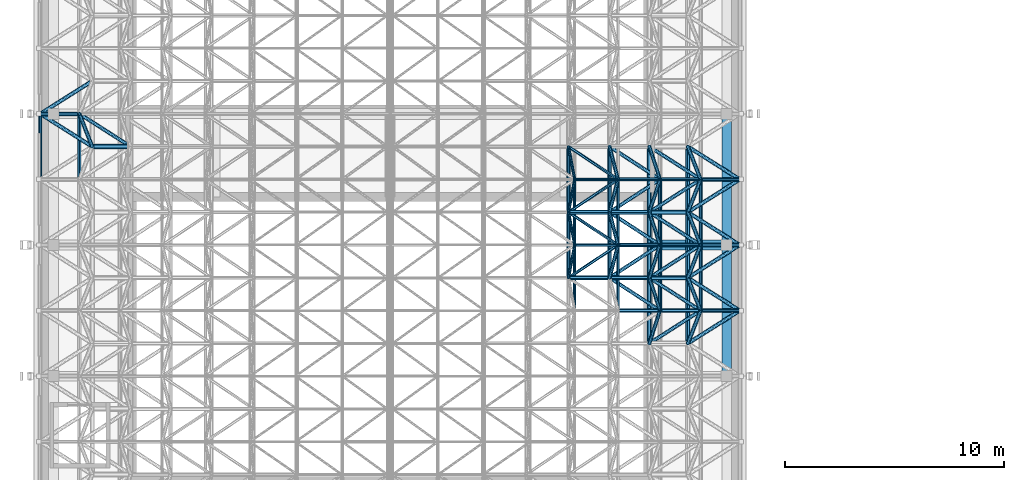
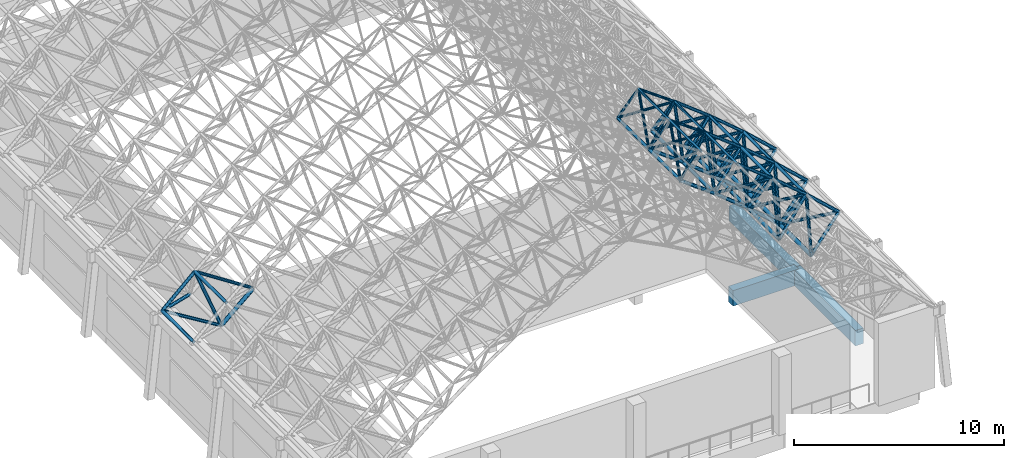
# One storey, part 15 of 141: 84 members, 3 beams.
"""IFC4 building model written with IfcOpenShell, lengths in metres."""

from ifc_helpers import new_model, si_unit, direction, frame, origin, origin_2d, place, context, subcontext, project, spatial, rectangle, hollow_circle, extrude, material, material_profile, profile_set, type_object, element, save


model = new_model("IFC4")

# Units and contexts
model_context = context("Model", 3, precision=1e-05, world=origin(), true_north=direction((0.0, 1.0)))
body_context = subcontext(model_context, "Body", "Model", "MODEL_VIEW")
ifc_project = project(units=[si_unit("LENGTHUNIT", "METRE"), si_unit("AREAUNIT", "SQUARE_METRE"), si_unit("VOLUMEUNIT", "CUBIC_METRE"), si_unit("PLANEANGLEUNIT", "RADIAN"), si_unit("MASSUNIT", "GRAM", prefix="KILO")], contexts=[model_context])

# Site, building, storey
site_placement = place(None, origin())
site = spatial("IfcSite", under=ifc_project, at=site_placement, CompositionType="ELEMENT")
building_placement = place(site_placement, origin())
building = spatial("IfcBuilding", under=site, at=building_placement, Name="Lantern Court Media Centre", CompositionType="ELEMENT")
storey_placement = place(building_placement, frame((0.0, 0.0, 9.60009765625)))
storey = spatial("IfcBuildingStorey", under=building, at=storey_placement, Name="L02", CompositionType="ELEMENT", Elevation=9.60009765625)

# Members
ifc_material_1 = material(Name="Steel S355J2 (EN 10025-2)", Category="steel")
ifc_material_profile_1 = material_profile(ifc_material_1, hollow_circle(Radius=0.084228515625, WallThickness=0.008056640625, at=origin_2d()), Name="Cinema Hall bottom CHS 168.3x8")
ifc_profile_set_1 = profile_set([ifc_material_profile_1], Name="Steel S355J2 (EN 10025-2)")
member_type_1 = type_object("IfcMemberType", Name="Cinema Hall bottom CHS 168.3x8", PredefinedType="CHORD", material=ifc_profile_set_1)
for number, where, z_axis, x_axis, name in (
    (1, (24.162353515625, 8.5, 8.463623046875), (0.0, 1.0, 0.0), (-1.0, 0.0, 0.0), "Cinema Hall bottom chord 13-04"),
    (2, (24.162353515625, 11.5, 8.463623046875), (0.0, 1.0, 0.0), (-1.0, 0.0, 0.0), "Cinema Hall bottom chord 13-05"),
):
    element("IfcMember", number, at=place(storey_placement, frame(where, z_axis=z_axis, x_axis=x_axis)), inside=storey, type_object=member_type_1, Name=name, PredefinedType="CHORD", context=body_context, shape_type="SweptSolid", body=[
        extrude(hollow_circle(Radius=0.084228515625, WallThickness=0.008056640625, at=origin_2d()), origin(), (0.0, 0.0, 1.0), 3.0),
    ])
ifc_material_profile_2 = material_profile(ifc_material_1, hollow_circle(Radius=0.096923828125, WallThickness=0.010009765625, at=origin_2d()), Name="Cinema Hall bottom CHS 193.7x10")
ifc_profile_set_2 = profile_set([ifc_material_profile_2], Name="Steel S355J2 (EN 10025-2)")
member_type_2 = type_object("IfcMemberType", Name="Cinema Hall bottom CHS 193.7x10", PredefinedType="CHORD", material=ifc_profile_set_2)
for number, where, z_axis, x_axis, name in (
    (3, (27.8623046875, 5.5, 5.57275390625), (0.0, 1.0, 0.0), (-1.0, 0.0, 0.0), "Cinema Hall bottom chord 15-03"),
    (4, (27.8623046875, 8.5, 5.57275390625), (0.0, 1.0, 0.0), (-1.0, 0.0, 0.0), "Cinema Hall bottom chord 15-04"),
    (5, (27.8623046875, 11.5, 5.57275390625), (0.0, 1.0, 0.0), (-1.0, 0.0, 0.0), "Cinema Hall bottom chord 15-05"),
):
    element("IfcMember", number, at=place(storey_placement, frame(where, z_axis=z_axis, x_axis=x_axis)), inside=storey, type_object=member_type_2, Name=name, PredefinedType="CHORD", context=body_context, shape_type="SweptSolid", body=[
        extrude(hollow_circle(Radius=0.096923828125, WallThickness=0.010009765625, at=origin_2d()), origin(), (0.0, 0.0, 1.0), 3.0),
    ])
for number, where, z_axis, x_axis, name in (
    (6, (26.041748046875, 8.5, 7.0556640625), (0.775340578175, 0.0, -0.63154333805), (0.0, 1.0, 0.0), "Cinema Hall bottom chord 14-04 across"),
    (7, (26.041748046875, 11.5, 7.0556640625), (0.775340578175, 0.0, -0.63154333805), (0.0, 1.0, 0.0), "Cinema Hall bottom chord 14-05 across"),
):
    element("IfcMember", number, at=place(storey_placement, frame(where, z_axis=z_axis, x_axis=x_axis)), inside=storey, type_object=member_type_2, Name=name, PredefinedType="CHORD", context=body_context, shape_type="SweptSolid", body=[
        extrude(hollow_circle(Radius=0.096923828125, WallThickness=0.010009765625, at=origin_2d()), origin(), (0.0, 0.0, 1.0), 2.34814453125),
    ])
ifc_material_profile_3 = material_profile(ifc_material_1, hollow_circle(Radius=0.096923828125, WallThickness=0.008056640625, at=origin_2d()), Name="Cinema Hall bottom CHS 193.7x8")
ifc_profile_set_3 = profile_set([ifc_material_profile_3], Name="Steel S355J2 (EN 10025-2)")
member_type_3 = type_object("IfcMemberType", Name="Cinema Hall bottom CHS 193.7x8", PredefinedType="CHORD", material=ifc_profile_set_3)
for number, where, z_axis, x_axis, name in (
    (8, (26.041748046875, 8.5, 7.0556640625), (0.0, 1.0, 0.0), (-1.0, 0.0, 0.0), "Cinema Hall bottom chord 14-04"),
    (9, (26.041748046875, 11.5, 7.0556640625), (0.0, 1.0, 0.0), (-1.0, 0.0, 0.0), "Cinema Hall bottom chord 14-05"),
):
    element("IfcMember", number, at=place(storey_placement, frame(where, z_axis=z_axis, x_axis=x_axis)), inside=storey, type_object=member_type_3, Name=name, PredefinedType="CHORD", context=body_context, shape_type="SweptSolid", body=[
        extrude(hollow_circle(Radius=0.096923828125, WallThickness=0.008056640625, at=origin_2d()), origin(), (0.0, 0.0, 1.0), 3.0),
    ])
for number, where, z_axis, x_axis, name in (
    (10, (24.162353515625, 8.5, 8.463623046875), (0.800324254575, 0.0, -0.599567417009), (0.0, 1.0, 0.0), "Cinema Hall bottom chord 13-04 across"),
    (11, (24.162353515625, 11.5, 8.463623046875), (0.800324254575, 0.0, -0.599567417009), (0.0, 1.0, 0.0), "Cinema Hall bottom chord 13-05 across"),
):
    element("IfcMember", number, at=place(storey_placement, frame(where, z_axis=z_axis, x_axis=x_axis)), inside=storey, type_object=member_type_3, Name=name, PredefinedType="CHORD", context=body_context, shape_type="SweptSolid", body=[
        extrude(hollow_circle(Radius=0.096923828125, WallThickness=0.008056640625, at=origin_2d()), origin(), (0.0, 0.0, 1.0), 2.348388671875),
    ])
ifc_material_profile_4 = material_profile(ifc_material_1, hollow_circle(Radius=0.109619140625, WallThickness=0.010009765625, at=origin_2d()), Name="Cinema Hall bottom CHS 219.1x10")
ifc_profile_set_4 = profile_set([ifc_material_profile_4], Name="Steel S355J2 (EN 10025-2)")
member_type_4 = type_object("IfcMemberType", Name="Cinema Hall bottom CHS 219.1x10", PredefinedType="CHORD", material=ifc_profile_set_4)
for number, where, z_axis, x_axis, name in (
    (12, (29.621337890625, 5.5, 4.016845703125), (0.0, 1.0, 0.0), (-1.0, 0.0, 0.0), "Cinema Hall bottom chord 16-03"),
    (13, (29.621337890625, 8.5, 4.016845703125), (0.0, 1.0, 0.0), (-1.0, 0.0, 0.0), "Cinema Hall bottom chord 16-04"),
    (14, (29.621337890625, 11.5, 4.016845703125), (0.0, 1.0, 0.0), (-1.0, 0.0, 0.0), "Cinema Hall bottom chord 16-05"),
):
    element("IfcMember", number, at=place(storey_placement, frame(where, z_axis=z_axis, x_axis=x_axis)), inside=storey, type_object=member_type_4, Name=name, PredefinedType="CHORD", context=body_context, shape_type="SweptSolid", body=[
        extrude(hollow_circle(Radius=0.109619140625, WallThickness=0.010009765625, at=origin_2d()), origin(), (0.0, 0.0, 1.0), 3.0),
    ])
for number, where, z_axis, x_axis, name in (
    (15, (27.8623046875, 8.5, 5.57275390625), (0.749030294531, 0.0, -0.662535748375), (0.0, 1.0, 0.0), "Cinema Hall bottom chord 15-04 across"),
    (16, (27.8623046875, 11.5, 5.57275390625), (0.749030294531, 0.0, -0.662535748375), (0.0, 1.0, 0.0), "Cinema Hall bottom chord 15-05 across"),
    (17, (2.378662109375, 14.5, 4.016845703125), (0.749030294531, 0.0, 0.662535748375), (0.0, 1.0, 0.0), "Cinema Hall bottom chord 01-06 across"),
):
    element("IfcMember", number, at=place(storey_placement, frame(where, z_axis=z_axis, x_axis=x_axis)), inside=storey, type_object=member_type_4, Name=name, PredefinedType="CHORD", context=body_context, shape_type="SweptSolid", body=[
        extrude(hollow_circle(Radius=0.109619140625, WallThickness=0.010009765625, at=origin_2d()), origin(), (0.0, 0.0, 1.0), 2.348388671875),
    ])
ifc_material_profile_5 = material_profile(ifc_material_1, hollow_circle(Radius=0.06982421875, WallThickness=0.008056640625, at=origin_2d()), Name="Cinema Hall diagonal CHS 139.7x8")
ifc_profile_set_5 = profile_set([ifc_material_profile_5], Name="Steel S355J2 (EN 10025-2)")
member_type_5 = type_object("IfcMemberType", Name="Cinema Hall diagonal CHS 139.7x8", PredefinedType="BRACE", material=ifc_profile_set_5)
member_1_placement = place(storey_placement, frame((24.162353515625, 8.5, 8.463623046875), z_axis=(0.776210877705, 0.513849761084, 0.365315064521), x_axis=(-0.552001963744, 0.833842810141, 0.0)))
element("IfcMember", 18, at=member_1_placement, inside=storey, type_object=member_type_5, Name="Cinema Hall diagonal 13-04-3", PredefinedType="BRACE", context=body_context, shape_type="SweptSolid", body=[
    extrude(hollow_circle(Radius=0.06982421875, WallThickness=0.008056640625, at=origin_2d()), origin(), (0.0, 0.0, 1.0), 2.919189453125),
])
for number, where, z_axis, x_axis, name in (
    (19, (24.162353515625, 8.5, 8.463623046875), (0.09785614588, 0.51387022247, 0.852268484207), (-0.982346962135, 0.187068025016, 0.0), "Cinema Hall diagonal 13-04-4"),
    (20, (24.162353515625, 11.5, 8.463623046875), (0.09785614588, -0.51387022247, 0.852268484207), (0.982346962135, 0.187068025016, 0.0), "Cinema Hall diagonal 13-05-1"),
):
    element("IfcMember", number, at=place(storey_placement, frame(where, z_axis=z_axis, x_axis=x_axis)), inside=storey, type_object=member_type_5, Name=name, PredefinedType="BRACE", context=body_context, shape_type="SweptSolid", body=[
        extrude(hollow_circle(Radius=0.06982421875, WallThickness=0.008056640625, at=origin_2d()), origin(), (0.0, 0.0, 1.0), 2.9189453125),
    ])
for number, where, z_axis, x_axis, name in (
    (21, (24.162353515625, 11.5, 8.463623046875), (0.776210877705, -0.513849761084, 0.365315064521), (0.552001963744, 0.833842810141, 0.0), "Cinema Hall diagonal 13-05-2"),
    (22, (24.162353515625, 11.5, 8.463623046875), (0.776210877705, 0.513849761084, 0.365315064521), (-0.552001963744, 0.833842810141, 0.0), "Cinema Hall diagonal 13-05-3"),
):
    element("IfcMember", number, at=place(storey_placement, frame(where, z_axis=z_axis, x_axis=x_axis)), inside=storey, type_object=member_type_5, Name=name, PredefinedType="BRACE", context=body_context, shape_type="SweptSolid", body=[
        extrude(hollow_circle(Radius=0.06982421875, WallThickness=0.008056640625, at=origin_2d()), origin(), (0.0, 0.0, 1.0), 2.919189453125),
    ])
for number, where, z_axis, x_axis, name in (
    (23, (24.162353515625, 11.5, 8.463623046875), (0.09785614588, 0.51387022247, 0.852268484207), (-0.982346962135, 0.187068025016, 0.0), "Cinema Hall diagonal 13-05-4"),
    (24, (24.162353515625, 14.5, 8.463623046875), (0.09785614588, -0.51387022247, 0.852268484207), (0.982346962135, 0.187068025016, 0.0), "Cinema Hall diagonal 13-06-1"),
):
    element("IfcMember", number, at=place(storey_placement, frame(where, z_axis=z_axis, x_axis=x_axis)), inside=storey, type_object=member_type_5, Name=name, PredefinedType="BRACE", context=body_context, shape_type="SweptSolid", body=[
        extrude(hollow_circle(Radius=0.06982421875, WallThickness=0.008056640625, at=origin_2d()), origin(), (0.0, 0.0, 1.0), 2.9189453125),
    ])
member_2_placement = place(storey_placement, frame((24.162353515625, 14.5, 8.463623046875), z_axis=(0.776210877705, -0.513849761084, 0.365315064521), x_axis=(0.552001963744, 0.833842810141, 0.0)))
element("IfcMember", 25, at=member_2_placement, inside=storey, type_object=member_type_5, Name="Cinema Hall diagonal 13-06-2", PredefinedType="BRACE", context=body_context, shape_type="SweptSolid", body=[
    extrude(hollow_circle(Radius=0.06982421875, WallThickness=0.008056640625, at=origin_2d()), origin(), (0.0, 0.0, 1.0), 2.919189453125),
])
ifc_material_profile_6 = material_profile(ifc_material_1, hollow_circle(Radius=0.084228515625, WallThickness=0.010009765625, at=origin_2d()), Name="Cinema Hall diagonal CHS 168.3x10")
ifc_profile_set_6 = profile_set([ifc_material_profile_6], Name="Steel S355J2 (EN 10025-2)")
member_type_6 = type_object("IfcMemberType", Name="Cinema Hall diagonal CHS 168.3x10", PredefinedType="BRACE", material=ifc_profile_set_6)
member_3_placement = place(storey_placement, frame((27.8623046875, 5.5, 5.57275390625), z_axis=(0.803309435106, 0.513850408047, 0.301084223465), x_axis=(-0.538854579896, 0.842398802068, 0.0)))
element("IfcMember", 26, at=member_3_placement, inside=storey, type_object=member_type_6, Name="Cinema Hall diagonal 15-03-3", PredefinedType="BRACE", context=body_context, shape_type="SweptSolid", body=[
    extrude(hollow_circle(Radius=0.084228515625, WallThickness=0.010009765625, at=origin_2d()), origin(), (0.0, 0.0, 1.0), 2.919189453125),
])
for number, where, z_axis, x_axis, name in (
    (27, (27.8623046875, 5.5, 5.57275390625), (0.166695380465, 0.513886812634, 0.841506383774), (-0.951206854862, 0.308553916299, 0.0), "Cinema Hall diagonal 15-03-4"),
    (28, (27.8623046875, 8.5, 5.57275390625), (0.166695380465, -0.513886812634, 0.841506383774), (0.951206854862, 0.308553916299, 0.0), "Cinema Hall diagonal 15-04-1"),
):
    element("IfcMember", number, at=place(storey_placement, frame(where, z_axis=z_axis, x_axis=x_axis)), inside=storey, type_object=member_type_6, Name=name, PredefinedType="BRACE", context=body_context, shape_type="SweptSolid", body=[
        extrude(hollow_circle(Radius=0.084228515625, WallThickness=0.010009765625, at=origin_2d()), origin(), (0.0, 0.0, 1.0), 2.9189453125),
    ])
for number, where, z_axis, x_axis, name in (
    (29, (27.8623046875, 8.5, 5.57275390625), (0.803309435106, -0.513850408047, 0.301084223465), (0.538854579896, 0.842398802068, 0.0), "Cinema Hall diagonal 15-04-2"),
    (30, (27.8623046875, 8.5, 5.57275390625), (0.803309435106, 0.513850408047, 0.301084223465), (-0.538854579896, 0.842398802068, 0.0), "Cinema Hall diagonal 15-04-3"),
):
    element("IfcMember", number, at=place(storey_placement, frame(where, z_axis=z_axis, x_axis=x_axis)), inside=storey, type_object=member_type_6, Name=name, PredefinedType="BRACE", context=body_context, shape_type="SweptSolid", body=[
        extrude(hollow_circle(Radius=0.084228515625, WallThickness=0.010009765625, at=origin_2d()), origin(), (0.0, 0.0, 1.0), 2.919189453125),
    ])
for number, where, z_axis, x_axis, name in (
    (31, (27.8623046875, 8.5, 5.57275390625), (0.166695380465, 0.513886812634, 0.841506383774), (-0.951206854862, 0.308553916299, 0.0), "Cinema Hall diagonal 15-04-4"),
    (32, (27.8623046875, 11.5, 5.57275390625), (0.166695380465, -0.513886812634, 0.841506383774), (0.951206854862, 0.308553916299, 0.0), "Cinema Hall diagonal 15-05-1"),
):
    element("IfcMember", number, at=place(storey_placement, frame(where, z_axis=z_axis, x_axis=x_axis)), inside=storey, type_object=member_type_6, Name=name, PredefinedType="BRACE", context=body_context, shape_type="SweptSolid", body=[
        extrude(hollow_circle(Radius=0.084228515625, WallThickness=0.010009765625, at=origin_2d()), origin(), (0.0, 0.0, 1.0), 2.9189453125),
    ])
for number, where, z_axis, x_axis, name in (
    (33, (27.8623046875, 11.5, 5.57275390625), (0.803309435106, -0.513850408047, 0.301084223465), (0.538854579896, 0.842398802068, 0.0), "Cinema Hall diagonal 15-05-2"),
    (34, (27.8623046875, 11.5, 5.57275390625), (0.803309435106, 0.513850408047, 0.301084223465), (-0.538854579896, 0.842398802068, 0.0), "Cinema Hall diagonal 15-05-3"),
):
    element("IfcMember", number, at=place(storey_placement, frame(where, z_axis=z_axis, x_axis=x_axis)), inside=storey, type_object=member_type_6, Name=name, PredefinedType="BRACE", context=body_context, shape_type="SweptSolid", body=[
        extrude(hollow_circle(Radius=0.084228515625, WallThickness=0.010009765625, at=origin_2d()), origin(), (0.0, 0.0, 1.0), 2.919189453125),
    ])
member_4_placement = place(storey_placement, frame((27.8623046875, 11.5, 5.57275390625), z_axis=(0.166695380465, 0.513886812634, 0.841506383774), x_axis=(-0.951206854862, 0.308553916299, 0.0)))
element("IfcMember", 35, at=member_4_placement, inside=storey, type_object=member_type_6, Name="Cinema Hall diagonal 15-05-4", PredefinedType="BRACE", context=body_context, shape_type="SweptSolid", body=[
    extrude(hollow_circle(Radius=0.084228515625, WallThickness=0.010009765625, at=origin_2d()), origin(), (0.0, 0.0, 1.0), 2.9189453125),
])
member_5_placement = place(storey_placement, frame((4.1376953125, 14.5, 5.57275390625), z_axis=(-0.803309435106, 0.513850408047, 0.301084223465), x_axis=(-0.538854579896, -0.842398802068, 0.0)))
element("IfcMember", 36, at=member_5_placement, inside=storey, type_object=member_type_6, Name="Cinema Hall diagonal 02-06-4", PredefinedType="BRACE", context=body_context, shape_type="SweptSolid", body=[
    extrude(hollow_circle(Radius=0.084228515625, WallThickness=0.010009765625, at=origin_2d()), origin(), (0.0, 0.0, 1.0), 2.919189453125),
])
member_6_placement = place(storey_placement, frame((27.8623046875, 14.5, 5.57275390625), z_axis=(0.166695380465, -0.513886812634, 0.841506383774), x_axis=(0.951206854862, 0.308553916299, 0.0)))
element("IfcMember", 37, at=member_6_placement, inside=storey, type_object=member_type_6, Name="Cinema Hall diagonal 15-06-1", PredefinedType="BRACE", context=body_context, shape_type="SweptSolid", body=[
    extrude(hollow_circle(Radius=0.084228515625, WallThickness=0.010009765625, at=origin_2d()), origin(), (0.0, 0.0, 1.0), 2.9189453125),
])
member_7_placement = place(storey_placement, frame((27.8623046875, 14.5, 5.57275390625), z_axis=(0.803309435106, -0.513850408047, 0.301084223465), x_axis=(0.538854579896, 0.842398802068, 0.0)))
element("IfcMember", 38, at=member_7_placement, inside=storey, type_object=member_type_6, Name="Cinema Hall diagonal 15-06-2", PredefinedType="BRACE", context=body_context, shape_type="SweptSolid", body=[
    extrude(hollow_circle(Radius=0.084228515625, WallThickness=0.010009765625, at=origin_2d()), origin(), (0.0, 0.0, 1.0), 2.919189453125),
])
ifc_material_profile_7 = material_profile(ifc_material_1, hollow_circle(Radius=0.084228515625, WallThickness=0.008056640625, at=origin_2d()), Name="Cinema Hall diagonal CHS 168.3x8")
ifc_profile_set_7 = profile_set([ifc_material_profile_7], Name="Steel S355J2 (EN 10025-2)")
member_type_7 = type_object("IfcMemberType", Name="Cinema Hall diagonal CHS 168.3x8", PredefinedType="BRACE", material=ifc_profile_set_7)
for number, where, z_axis, x_axis, name in (
    (39, (26.041748046875, 8.5, 7.0556640625), (0.790394065187, -0.513881601747, 0.333471019884), (0.545081898441, 0.838382802777, 0.0), "Cinema Hall diagonal 14-04-2"),
    (40, (26.041748046875, 8.5, 7.0556640625), (0.790394065187, 0.513881601747, 0.333471019884), (-0.545081898441, 0.838382802777, 0.0), "Cinema Hall diagonal 14-04-3"),
):
    element("IfcMember", number, at=place(storey_placement, frame(where, z_axis=z_axis, x_axis=x_axis)), inside=storey, type_object=member_type_7, Name=name, PredefinedType="BRACE", context=body_context, shape_type="SweptSolid", body=[
        extrude(hollow_circle(Radius=0.084228515625, WallThickness=0.008056640625, at=origin_2d()), origin(), (0.0, 0.0, 1.0), 2.9189453125),
    ])
for number, where, z_axis, x_axis, name in (
    (41, (26.041748046875, 8.5, 7.0556640625), (0.132389678542, 0.513835871739, 0.847611744804), (-0.968374432366, 0.249501420318, 0.0), "Cinema Hall diagonal 14-04-4"),
    (42, (26.041748046875, 11.5, 7.0556640625), (0.132389678542, -0.513835871739, 0.847611744804), (0.968374432366, 0.249501420318, 0.0), "Cinema Hall diagonal 14-05-1"),
):
    element("IfcMember", number, at=place(storey_placement, frame(where, z_axis=z_axis, x_axis=x_axis)), inside=storey, type_object=member_type_7, Name=name, PredefinedType="BRACE", context=body_context, shape_type="SweptSolid", body=[
        extrude(hollow_circle(Radius=0.084228515625, WallThickness=0.008056640625, at=origin_2d()), origin(), (0.0, 0.0, 1.0), 2.919189453125),
    ])
for number, where, z_axis, x_axis, name in (
    (43, (26.041748046875, 11.5, 7.0556640625), (0.790394065187, -0.513881601747, 0.333471019884), (0.545081898441, 0.838382802777, 0.0), "Cinema Hall diagonal 14-05-2"),
    (44, (26.041748046875, 11.5, 7.0556640625), (0.790394065187, 0.513881601747, 0.333471019884), (-0.545081898441, 0.838382802777, 0.0), "Cinema Hall diagonal 14-05-3"),
):
    element("IfcMember", number, at=place(storey_placement, frame(where, z_axis=z_axis, x_axis=x_axis)), inside=storey, type_object=member_type_7, Name=name, PredefinedType="BRACE", context=body_context, shape_type="SweptSolid", body=[
        extrude(hollow_circle(Radius=0.084228515625, WallThickness=0.008056640625, at=origin_2d()), origin(), (0.0, 0.0, 1.0), 2.9189453125),
    ])
for number, where, z_axis, x_axis, name in (
    (45, (26.041748046875, 11.5, 7.0556640625), (0.132389678542, 0.513835871739, 0.847611744804), (-0.968374432366, 0.249501420318, 0.0), "Cinema Hall diagonal 14-05-4"),
    (46, (26.041748046875, 14.5, 7.0556640625), (0.132389678542, -0.513835871739, 0.847611744804), (0.968374432366, 0.249501420318, 0.0), "Cinema Hall diagonal 14-06-1"),
):
    element("IfcMember", number, at=place(storey_placement, frame(where, z_axis=z_axis, x_axis=x_axis)), inside=storey, type_object=member_type_7, Name=name, PredefinedType="BRACE", context=body_context, shape_type="SweptSolid", body=[
        extrude(hollow_circle(Radius=0.084228515625, WallThickness=0.008056640625, at=origin_2d()), origin(), (0.0, 0.0, 1.0), 2.919189453125),
    ])
member_8_placement = place(storey_placement, frame((26.041748046875, 14.5, 7.0556640625), z_axis=(0.790394065187, -0.513881601747, 0.333471019884), x_axis=(0.545081898441, 0.838382802777, 0.0)))
element("IfcMember", 47, at=member_8_placement, inside=storey, type_object=member_type_7, Name="Cinema Hall diagonal 14-06-2", PredefinedType="BRACE", context=body_context, shape_type="SweptSolid", body=[
    extrude(hollow_circle(Radius=0.084228515625, WallThickness=0.008056640625, at=origin_2d()), origin(), (0.0, 0.0, 1.0), 2.9189453125),
])
ifc_material_profile_8 = material_profile(ifc_material_1, hollow_circle(Radius=0.0888671875, WallThickness=0.010009765625, at=origin_2d()), Name="Cinema Hall diagonal CHS 177.8x10")
ifc_profile_set_8 = profile_set([ifc_material_profile_8], Name="Steel S355J2 (EN 10025-2)")
member_type_8 = type_object("IfcMemberType", Name="Cinema Hall diagonal CHS 177.8x10", PredefinedType="BRACE", material=ifc_profile_set_8)
for number, where, z_axis, x_axis, name in (
    (48, (29.621337890625, 5.5, 4.016845703125), (0.814865608485, 0.513859622142, 0.268220671909), (-0.533404912089, 0.845860035561, 0.0), "Cinema Hall diagonal 16-03-3"),
    (49, (29.621337890625, 5.5, 4.016845703125), (0.200719513512, 0.513841954591, 0.834073211773), (-0.93145734948, 0.36385052714, 0.0), "Cinema Hall diagonal 16-03-4"),
    (50, (29.621337890625, 8.5, 4.016845703125), (0.200719513512, -0.513841954591, 0.834073211773), (0.93145734948, 0.36385052714, 0.0), "Cinema Hall diagonal 16-04-1"),
    (51, (29.621337890625, 8.5, 4.016845703125), (0.814865608485, -0.513859622142, 0.268220671909), (0.533404912089, 0.845860035561, 0.0), "Cinema Hall diagonal 16-04-2"),
    (52, (29.621337890625, 8.5, 4.016845703125), (0.814865608485, 0.513859622142, 0.268220671909), (-0.533404912089, 0.845860035561, 0.0), "Cinema Hall diagonal 16-04-3"),
    (53, (29.621337890625, 8.5, 4.016845703125), (0.200719513512, 0.513841954591, 0.834073211773), (-0.93145734948, 0.36385052714, 0.0), "Cinema Hall diagonal 16-04-4"),
    (54, (29.621337890625, 11.5, 4.016845703125), (0.200719513512, -0.513841954591, 0.834073211773), (0.93145734948, 0.36385052714, 0.0), "Cinema Hall diagonal 16-05-1"),
    (55, (29.621337890625, 11.5, 4.016845703125), (0.814865608485, -0.513859622142, 0.268220671909), (0.533404912089, 0.845860035561, 0.0), "Cinema Hall diagonal 16-05-2"),
    (56, (29.621337890625, 11.5, 4.016845703125), (0.814865608485, 0.513859622142, 0.268220671909), (-0.533404912089, 0.845860035561, 0.0), "Cinema Hall diagonal 16-05-3"),
    (57, (29.621337890625, 11.5, 4.016845703125), (0.200719513512, 0.513841954591, 0.834073211773), (-0.93145734948, 0.36385052714, 0.0), "Cinema Hall diagonal 16-05-4"),
    (58, (2.378662109375, 14.5, 4.016845703125), (-0.200719513512, 0.513841954591, 0.834073211773), (-0.93145734948, -0.36385052714, 0.0), "Cinema Hall diagonal 01-06-3"),
    (59, (2.378662109375, 14.5, 4.016845703125), (-0.814865608485, 0.513859622142, 0.268220671909), (-0.533404912089, -0.845860035561, 0.0), "Cinema Hall diagonal 01-06-4"),
    (60, (29.621337890625, 14.5, 4.016845703125), (0.200719513512, -0.513841954591, 0.834073211773), (0.93145734948, 0.36385052714, 0.0), "Cinema Hall diagonal 16-06-1"),
    (61, (29.621337890625, 14.5, 4.016845703125), (0.814865608485, -0.513859622142, 0.268220671909), (0.533404912089, 0.845860035561, 0.0), "Cinema Hall diagonal 16-06-2"),
    (62, (2.378662109375, 17.5, 4.016845703125), (-0.814865608485, -0.513859622142, 0.268220671909), (0.533404912089, -0.845860035561, 0.0), "Cinema Hall diagonal 01-07-1"),
):
    element("IfcMember", number, at=place(storey_placement, frame(where, z_axis=z_axis, x_axis=x_axis)), inside=storey, type_object=member_type_8, Name=name, PredefinedType="BRACE", context=body_context, shape_type="SweptSolid", body=[
        extrude(hollow_circle(Radius=0.0888671875, WallThickness=0.010009765625, at=origin_2d()), origin(), (0.0, 0.0, 1.0), 2.919189453125),
    ])
ifc_material_profile_9 = material_profile(ifc_material_1, hollow_circle(Radius=0.06982421875, WallThickness=0.00634765625, at=origin_2d()), Name="Cinema Hall top CHS 139.7x6.3")
ifc_profile_set_9 = profile_set([ifc_material_profile_9], Name="Steel S355J2 (EN 10025-2)")
member_type_9 = type_object("IfcMemberType", Name="Cinema Hall top CHS 139.7x6.3", PredefinedType="CHORD", material=ifc_profile_set_9)
for number, where, z_axis, x_axis, name in (
    (63, (24.447998046875, 7.0, 10.951416015625), (0.0, 1.0, 0.0), (-1.0, 0.0, 0.0), "Cinema Hall top chord 13-04"),
    (64, (24.447998046875, 10.0, 10.951416015625), (0.0, 1.0, 0.0), (-1.0, 0.0, 0.0), "Cinema Hall top chord 13-05"),
):
    element("IfcMember", number, at=place(storey_placement, frame(where, z_axis=z_axis, x_axis=x_axis)), inside=storey, type_object=member_type_9, Name=name, PredefinedType="CHORD", context=body_context, shape_type="SweptSolid", body=[
        extrude(hollow_circle(Radius=0.06982421875, WallThickness=0.00634765625, at=origin_2d()), origin(), (0.0, 0.0, 1.0), 3.0),
    ])
ifc_material_profile_10 = material_profile(ifc_material_1, hollow_circle(Radius=0.06982421875, WallThickness=0.008056640625, at=origin_2d()), Name="Cinema Hall top CHS 139.7x8")
ifc_profile_set_10 = profile_set([ifc_material_profile_10], Name="Steel S355J2 (EN 10025-2)")
member_type_10 = type_object("IfcMemberType", Name="Cinema Hall top CHS 139.7x8", PredefinedType="CHORD", material=ifc_profile_set_10)
for number, where, z_axis, x_axis, name in (
    (65, (26.42822265625, 7.0, 9.530029296875), (0.0, 1.0, 0.0), (-1.0, 0.0, 0.0), "Cinema Hall top chord 14-04"),
    (66, (26.42822265625, 10.0, 9.530029296875), (0.0, 1.0, 0.0), (-1.0, 0.0, 0.0), "Cinema Hall top chord 14-05"),
):
    element("IfcMember", number, at=place(storey_placement, frame(where, z_axis=z_axis, x_axis=x_axis)), inside=storey, type_object=member_type_10, Name=name, PredefinedType="CHORD", context=body_context, shape_type="SweptSolid", body=[
        extrude(hollow_circle(Radius=0.06982421875, WallThickness=0.008056640625, at=origin_2d()), origin(), (0.0, 0.0, 1.0), 3.0),
    ])
for number, where, z_axis, x_axis, name in (
    (67, (24.447998046875, 10.0, 10.951416015625), (0.812384562891, 0.0, -0.583122047239), (0.0, 1.0, 0.0), "Cinema Hall top chord 13-05 across"),
    (68, (24.447998046875, 13.0, 10.951416015625), (0.812384562891, 0.0, -0.583122047239), (0.0, 1.0, 0.0), "Cinema Hall top chord 13-06 across"),
):
    element("IfcMember", number, at=place(storey_placement, frame(where, z_axis=z_axis, x_axis=x_axis)), inside=storey, type_object=member_type_10, Name=name, PredefinedType="CHORD", context=body_context, shape_type="SweptSolid", body=[
        extrude(hollow_circle(Radius=0.06982421875, WallThickness=0.008056640625, at=origin_2d()), origin(), (0.0, 0.0, 1.0), 2.4375),
    ])
ifc_material_profile_11 = material_profile(ifc_material_1, hollow_circle(Radius=0.084228515625, WallThickness=0.010009765625, at=origin_2d()), Name="Cinema Hall top CHS 168.3x10")
ifc_profile_set_11 = profile_set([ifc_material_profile_11], Name="Steel S355J2 (EN 10025-2)")
member_type_11 = type_object("IfcMemberType", Name="Cinema Hall top CHS 168.3x10", PredefinedType="CHORD", material=ifc_profile_set_11)
for number, where, z_axis, x_axis, name in (
    (69, (30.207275390625, 7.0, 6.45166015625), (0.0, 1.0, 0.0), (-1.0, 0.0, 0.0), "Cinema Hall top chord 16-04"),
    (70, (30.207275390625, 10.0, 6.45166015625), (0.0, 1.0, 0.0), (-1.0, 0.0, 0.0), "Cinema Hall top chord 16-05"),
    (71, (1.792724609375, 13.0, 6.45166015625), (0.0, 1.0, 0.0), (-1.0, 0.0, 0.0), "Cinema Hall top chord 02-06"),
):
    element("IfcMember", number, at=place(storey_placement, frame(where, z_axis=z_axis, x_axis=x_axis)), inside=storey, type_object=member_type_11, Name=name, PredefinedType="CHORD", context=body_context, shape_type="SweptSolid", body=[
        extrude(hollow_circle(Radius=0.084228515625, WallThickness=0.010009765625, at=origin_2d()), origin(), (0.0, 0.0, 1.0), 3.0),
    ])
for number, where, z_axis, x_axis, name in (
    (72, (28.348876953125, 7.0, 8.029052734375), (0.762393833283, 0.0, -0.647113315403), (0.0, 1.0, 0.0), "Cinema Hall top chord 15-04 across"),
    (73, (28.348876953125, 10.0, 8.029052734375), (0.762393833283, 0.0, -0.647113315403), (0.0, 1.0, 0.0), "Cinema Hall top chord 15-05 across"),
    (74, (28.348876953125, 13.0, 8.029052734375), (0.762393833283, 0.0, -0.647113315403), (0.0, 1.0, 0.0), "Cinema Hall top chord 15-06 across"),
):
    element("IfcMember", number, at=place(storey_placement, frame(where, z_axis=z_axis, x_axis=x_axis)), inside=storey, type_object=member_type_11, Name=name, PredefinedType="CHORD", context=body_context, shape_type="SweptSolid", body=[
        extrude(hollow_circle(Radius=0.084228515625, WallThickness=0.010009765625, at=origin_2d()), origin(), (0.0, 0.0, 1.0), 2.4375),
    ])
ifc_material_profile_12 = material_profile(ifc_material_1, hollow_circle(Radius=0.084228515625, WallThickness=0.008056640625, at=origin_2d()), Name="Cinema Hall top CHS 168.3x8")
ifc_profile_set_12 = profile_set([ifc_material_profile_12], Name="Steel S355J2 (EN 10025-2)")
member_type_12 = type_object("IfcMemberType", Name="Cinema Hall top CHS 168.3x8", PredefinedType="CHORD", material=ifc_profile_set_12)
for number, where, z_axis, x_axis, name in (
    (75, (28.348876953125, 7.0, 8.029052734375), (0.0, 1.0, 0.0), (-1.0, 0.0, 0.0), "Cinema Hall top chord 15-04"),
    (76, (28.348876953125, 10.0, 8.029052734375), (0.0, 1.0, 0.0), (-1.0, 0.0, 0.0), "Cinema Hall top chord 15-05"),
):
    element("IfcMember", number, at=place(storey_placement, frame(where, z_axis=z_axis, x_axis=x_axis)), inside=storey, type_object=member_type_12, Name=name, PredefinedType="CHORD", context=body_context, shape_type="SweptSolid", body=[
        extrude(hollow_circle(Radius=0.084228515625, WallThickness=0.008056640625, at=origin_2d()), origin(), (0.0, 0.0, 1.0), 3.0),
    ])
for number, where, z_axis, x_axis, name in (
    (77, (26.42822265625, 7.0, 9.530029296875), (0.787931739718, 0.0, -0.615762595117), (0.0, 1.0, 0.0), "Cinema Hall top chord 14-04 across"),
    (78, (26.42822265625, 10.0, 9.530029296875), (0.787931739718, 0.0, -0.615762595117), (0.0, 1.0, 0.0), "Cinema Hall top chord 14-05 across"),
    (79, (26.42822265625, 13.0, 9.530029296875), (0.787931739718, 0.0, -0.615762595117), (0.0, 1.0, 0.0), "Cinema Hall top chord 14-06 across"),
):
    element("IfcMember", number, at=place(storey_placement, frame(where, z_axis=z_axis, x_axis=x_axis)), inside=storey, type_object=member_type_12, Name=name, PredefinedType="CHORD", context=body_context, shape_type="SweptSolid", body=[
        extrude(hollow_circle(Radius=0.084228515625, WallThickness=0.008056640625, at=origin_2d()), origin(), (0.0, 0.0, 1.0), 2.4375),
    ])
ifc_material_profile_13 = material_profile(ifc_material_1, hollow_circle(Radius=0.0888671875, WallThickness=0.010009765625, at=origin_2d()), Name="Cinema Hall top CHS 177.8x10")
ifc_profile_set_13 = profile_set([ifc_material_profile_13], Name="Steel S355J2 (EN 10025-2)")
member_type_13 = type_object("IfcMemberType", Name="Cinema Hall top CHS 177.8x10", PredefinedType="CHORD", material=ifc_profile_set_13)
member_9_placement = place(storey_placement, frame((0.0, 13.0, 4.7998046875), z_axis=(0.0, 1.0, 0.0), x_axis=(-1.0, 0.0, 0.0)))
element("IfcMember", 80, at=member_9_placement, inside=storey, type_object=member_type_13, Name="Cinema Hall top chord 01-06", PredefinedType="CHORD", context=body_context, shape_type="SweptSolid", body=[
    extrude(hollow_circle(Radius=0.0888671875, WallThickness=0.010009765625, at=origin_2d()), origin(), (0.0, 0.0, 1.0), 3.0),
])
for number, where, z_axis, x_axis, name in (
    (81, (30.207275390625, 7.0, 6.45166015625), (0.735409817039, 0.0, -0.677622609572), (0.0, 1.0, 0.0), "Cinema Hall top chord 16-04 across"),
    (82, (30.207275390625, 10.0, 6.45166015625), (0.735409817039, 0.0, -0.677622609572), (0.0, 1.0, 0.0), "Cinema Hall top chord 16-05 across"),
    (83, (30.207275390625, 13.0, 6.45166015625), (0.735409817039, 0.0, -0.677622609572), (0.0, 1.0, 0.0), "Cinema Hall top chord 16-06 across"),
    (84, (0.0, 16.0, 4.7998046875), (0.735409817039, 0.0, 0.677622609572), (0.0, 1.0, 0.0), "Cinema Hall top chord 01-07 across"),
):
    element("IfcMember", number, at=place(storey_placement, frame(where, z_axis=z_axis, x_axis=x_axis)), inside=storey, type_object=member_type_13, Name=name, PredefinedType="CHORD", context=body_context, shape_type="SweptSolid", body=[
        extrude(hollow_circle(Radius=0.0888671875, WallThickness=0.010009765625, at=origin_2d()), origin(), (0.0, 0.0, 1.0), 2.437744140625),
    ])

# Beams
ifc_material_2 = material(Name="Concrete C35", Category="concrete")
ifc_material_profile_14 = material_profile(ifc_material_2, rectangle(XDim=0.449951171875, YDim=0.89990234375, at=origin_2d()), Name="RC 450x900")
ifc_profile_set_14 = profile_set([ifc_material_profile_14], Name="Concrete C35")
beam_type = type_object("IfcBeamType", Name="RC BEAM 450x900", PredefinedType="BEAM", material=ifc_profile_set_14)
beam_placement = place(storey_placement, frame((27.800048828125, 10.0, -0.4501953125), z_axis=(1.0, 0.0, 0.0), x_axis=(0.0, 1.0, 0.0)))
element("IfcBeam", 85, at=beam_placement, inside=storey, type_object=beam_type, Name="HB-V1-L02-FX2-3", PredefinedType="BEAM", context=body_context, shape_type="SweptSolid", body=[
    extrude(rectangle(XDim=0.449951171875, YDim=0.89990234375, at=origin_2d()), origin(), (0.0, 0.0, 1.0), 3.599853515625),
])
for number, where, z_axis, x_axis, name in (
    (86, (31.39990234375, 4.0, -0.4501953125), (0.0, 1.0, 0.0), (-1.0, 0.0, 0.0), "HB-V1-L02-FY4-1"),
    (87, (31.39990234375, 10.0, -0.4501953125), (0.0, 1.0, 0.0), (-1.0, 0.0, 0.0), "HB-V1-L02-FY4-2"),
):
    element("IfcBeam", number, at=place(storey_placement, frame(where, z_axis=z_axis, x_axis=x_axis)), inside=storey, type_object=beam_type, Name=name, PredefinedType="BEAM", context=body_context, shape_type="SweptSolid", body=[
        extrude(rectangle(XDim=0.449951171875, YDim=0.89990234375, at=origin_2d()), origin(), (0.0, 0.0, 1.0), 6.0),
    ])

save(model, "model.ifc")
